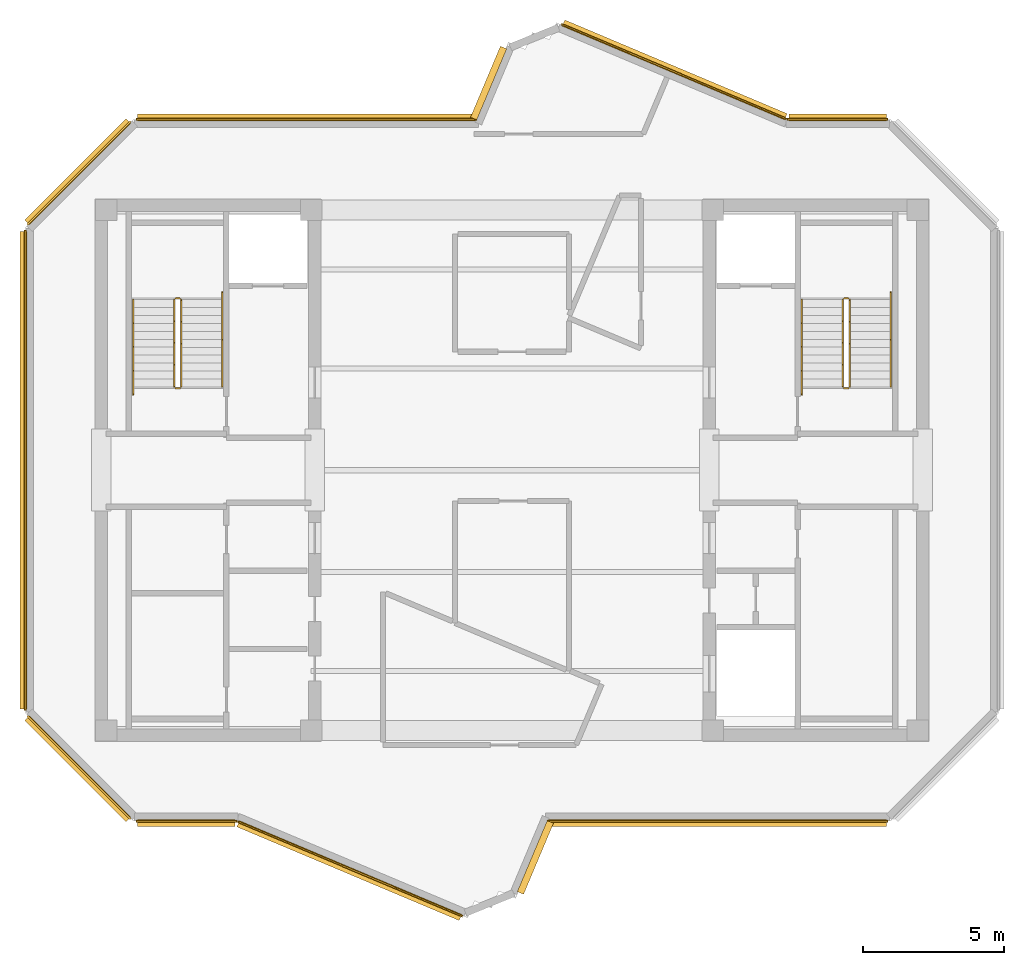
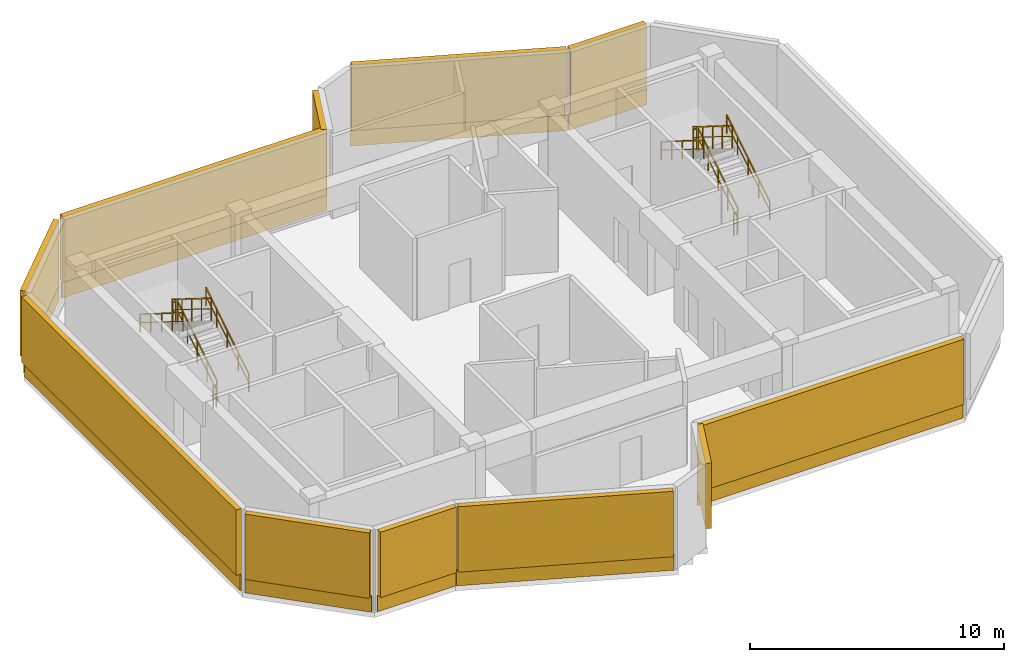
# One storey, part 4 of 5: 12 railings, 11 shading devices, 9 coverings.
"""IFC4 building model written with IfcOpenShell, lengths in metres."""

import ifcopenshell
import ifcopenshell.guid

model = None  # the IFC model being written
_history = None  # IfcOwnerHistory: only IFC2X3 demands one
_inside = {}  # id of a spatial element -> (the spatial element, [elements in it])
_under = {}  # id of a project, library or spatial element -> (it, [spatial elements below it])
_declared = {}  # id of a project -> (the project, [libraries it declares])
_typed = {}  # id of a type object -> (the type object, [elements of that type])
_made_of = {}  # id of a material, layer set ... -> (it, [elements and type objects made of it])


def new_model(schema):
    """Start an empty IFC model of exactly this schema.

    Asked for "IFC4X3", IfcOpenShell would pick the latest addendum, in which some entities
    have other attributes; the version numbers below select the first issue.
    IFC2X3 requires an IfcOwnerHistory on every rooted entity: one is made here for all.
    """
    global model, _history
    if schema == "IFC4X3":
        model = ifcopenshell.file(schema_version=(4, 3, 0, 0))
    else:
        model = ifcopenshell.file(schema=schema)
    _inside.clear()
    _under.clear()
    _declared.clear()
    _typed.clear()
    _made_of.clear()
    _history = None
    if model.schema == "IFC2X3":
        org = make("IfcOrganization", Name="unknown")
        user = make(
            "IfcPersonAndOrganization",
            ThePerson=make("IfcPerson", FamilyName="unknown"),
            TheOrganization=org,
        )
        app = make(
            "IfcApplication",
            ApplicationDeveloper=org,
            Version="unknown",
            ApplicationFullName="unknown",
            ApplicationIdentifier="unknown",
        )
        _history = make(
            "IfcOwnerHistory",
            OwningUser=user,
            OwningApplication=app,
            ChangeAction="ADDED",
            CreationDate=0,
        )
    return model


def make(cls, **values):
    """One entity of the class cls with the attributes given. An attribute that is None is left unset."""
    return model.create_entity(
        cls, **{name: value for name, value in values.items() if value is not None}
    )


def rooted(cls, **values):
    """An entity with a GlobalId (a new one), such as an element, a storey or a relation."""
    return make(cls, GlobalId=ifcopenshell.guid.new(), OwnerHistory=_history, **values)


def si_unit(unit_type, name, prefix=None):
    """IfcSIUnit, for example si_unit("LENGTHUNIT", "METRE", prefix="MILLI")."""
    return make("IfcSIUnit", UnitType=unit_type, Prefix=prefix, Name=name)


def assignment(units):
    """IfcUnitAssignment: the units of a project."""
    return None if units is None else make("IfcUnitAssignment", Units=units)


def point(xyz):
    """IfcCartesianPoint."""
    return None if xyz is None else make("IfcCartesianPoint", Coordinates=xyz)


def direction(xyz):
    """IfcDirection."""
    return None if xyz is None else make("IfcDirection", DirectionRatios=xyz)


def frame(location, z_axis=None, x_axis=None):
    """IfcAxis2Placement3D, a coordinate frame: its origin and axes. An axis left out is left unset."""
    return make(
        "IfcAxis2Placement3D",
        Location=point(location),
        Axis=direction(z_axis),
        RefDirection=direction(x_axis),
    )


def frame_2d(location, x_axis=None):
    """IfcAxis2Placement2D, a coordinate frame in the plane: its origin and x axis."""
    return make(
        "IfcAxis2Placement2D", Location=point(location), RefDirection=direction(x_axis)
    )


def origin():
    """The frame at (0, 0, 0) with its axes left unset."""
    return frame((0.0, 0.0, 0.0))


def origin_2d():
    """The frame at (0, 0) in the plane with its x axis left unset."""
    return frame_2d((0.0, 0.0))


def place(relative_to, where):
    """IfcLocalPlacement: puts the frame where relative to a parent placement (None: the world)."""
    return make(
        "IfcLocalPlacement", PlacementRelTo=relative_to, RelativePlacement=where
    )


def context(
    kind, dimensions, precision=None, world=None, true_north=None, identifier=None
):
    """IfcGeometricRepresentationContext, for example the 3D "Model" context."""
    return make(
        "IfcGeometricRepresentationContext",
        ContextIdentifier=identifier,
        ContextType=kind,
        CoordinateSpaceDimension=dimensions,
        Precision=precision,
        WorldCoordinateSystem=world,
        TrueNorth=true_north,
    )


def subcontext(parent, identifier, kind, view, scale=None):
    """IfcGeometricRepresentationSubContext, for example "Body" below "Model"."""
    return make(
        "IfcGeometricRepresentationSubContext",
        ContextIdentifier=identifier,
        ContextType=kind,
        ParentContext=parent,
        TargetScale=scale,
        TargetView=view,
    )


def project(units=None, contexts=None):
    """IfcProject with its units and contexts."""
    return rooted(
        "IfcProject",
        Name="project",
        RepresentationContexts=contexts,
        UnitsInContext=assignment(units),
    )


def spatial(cls, under=None, at=None, **own):
    """A site, building, storey or space (cls), placed at a placement, below another one or the project."""
    s = rooted(cls, ObjectPlacement=at, **own)
    if under is not None:
        _under.setdefault(under.id(), (under, []))[1].append(s)
    return s


def profile(cls, at=None, kind="AREA", **sizes):
    """A parametric profile (cls). Its sizes go by their IFC names, for example OverallWidth=200.0."""
    return make(cls, ProfileType=kind, Position=at, **sizes)


def rectangle(**sizes):
    """IfcRectangleProfileDef."""
    return profile("IfcRectangleProfileDef", **sizes)


def extrude(swept, where, along, depth):
    """IfcExtrudedAreaSolid: the profile swept, set in the frame where, extruded along a direction by depth."""
    return make(
        "IfcExtrudedAreaSolid",
        SweptArea=swept,
        Position=where,
        ExtrudedDirection=direction(along),
        Depth=depth,
    )


def shape(context_of_items, identifier, shape_type, items):
    """IfcShapeRepresentation: the items that make up one representation, for example the "Body"."""
    return make(
        "IfcShapeRepresentation",
        ContextOfItems=context_of_items,
        RepresentationIdentifier=identifier,
        RepresentationType=shape_type,
        Items=items,
    )


def source(mapping_origin, context_of_items, identifier, shape_type, items):
    """IfcRepresentationMap: a shape defined once, which mapped items show again and again."""
    return make(
        "IfcRepresentationMap",
        MappingOrigin=mapping_origin,
        MappedRepresentation=shape(context_of_items, identifier, shape_type, items),
    )


def transform(
    local_origin,
    x_axis=None,
    y_axis=None,
    z_axis=None,
    scale=None,
    scale2=None,
    scale3=None,
    uniform=True,
):
    """IfcCartesianTransformationOperator3D, or its non-uniform kind. x_axis, y_axis, z_axis: its Axis1, 2, 3."""
    if uniform:
        return make(
            "IfcCartesianTransformationOperator3D",
            Axis1=direction(x_axis),
            Axis2=direction(y_axis),
            LocalOrigin=point(local_origin),
            Scale=scale,
            Axis3=direction(z_axis),
        )
    return make(
        "IfcCartesianTransformationOperator3DnonUniform",
        Axis1=direction(x_axis),
        Axis2=direction(y_axis),
        LocalOrigin=point(local_origin),
        Scale=scale,
        Axis3=direction(z_axis),
        Scale2=scale2,
        Scale3=scale3,
    )


def mapped(mapping_source, mapping_target):
    """IfcMappedItem: shows the shape of a source again, moved by a transform."""
    return make(
        "IfcMappedItem", MappingSource=mapping_source, MappingTarget=mapping_target
    )


def material(Name=None, Category=None):
    """IfcMaterial."""
    return make("IfcMaterial", Name=Name, Category=Category)


def layer(
    of_material, thickness, ventilated=None, Name=None, Category=None, Priority=None
):
    """IfcMaterialLayer: one layer of a wall or slab, of a material (None: an air gap)."""
    return make(
        "IfcMaterialLayer",
        Material=of_material,
        LayerThickness=thickness,
        IsVentilated=ventilated,
        Name=Name,
        Category=Category,
        Priority=Priority,
    )


def layer_set(layers, Name=None):
    """IfcMaterialLayerSet."""
    return make("IfcMaterialLayerSet", MaterialLayers=layers, LayerSetName=Name)


def made_of(thing, what):
    """Note that an element or type object is made of a material, layer set ...; save() writes the relation."""
    if what is not None:
        _made_of.setdefault(what.id(), (what, []))[1].append(thing)
    return thing


def type_object(cls, material=None, **own):
    """A type object (cls), such as IfcWallType, which elements share."""
    return made_of(rooted(cls, **own), material)


def element(
    cls,
    number,
    at=None,
    inside=None,
    cuts=None,
    type_object=None,
    material=None,
    context=None,
    identifier="Body",
    shape_type=None,
    held_by="IfcProductDefinitionShape",
    body=None,
    shapes=None,
    **own,
):
    """One element of the class cls, such as IfcWall. Its Tag is "e" and its number.

    at: its placement. inside: the storey or other place that contains it. cuts: it is an
    opening in that element (IfcRelVoidsElement). A single representation is given by context,
    identifier, shape_type and body (its items); several are given by shapes. held_by: the class
    of the entity that holds the representations. save() writes the other relations.
    """
    e = rooted(cls, Tag="e%d" % number, ObjectPlacement=at, **own)
    if body is not None:
        shapes = [shape(context, identifier, shape_type, body)]
    if shapes is not None:
        e.Representation = make(held_by, Representations=shapes)
    if inside is not None:
        _inside.setdefault(inside.id(), (inside, []))[1].append(e)
    if cuts is not None:
        rooted(
            "IfcRelVoidsElement", RelatingBuildingElement=cuts, RelatedOpeningElement=e
        )
    if type_object is not None:
        _typed.setdefault(type_object.id(), (type_object, []))[1].append(e)
    return made_of(e, material)


def aggregate(whole, parts):
    """IfcRelAggregates: a whole, such as a stair, and the parts it consists of."""
    return rooted("IfcRelAggregates", RelatingObject=whole, RelatedObjects=parts)


def save(model, path):
    """Write the relations noted so far, then the file.

    IfcRelAggregates (storeys below a building ...), IfcRelContainedInSpatialStructure (elements
    in a storey), IfcRelDefinesByType, IfcRelAssociatesMaterial and IfcRelDeclares: one each for
    every whole, place, type object, material and project.
    """
    for whole, parts in _under.values():
        aggregate(whole, parts)
    for where, things in _inside.values():
        rooted(
            "IfcRelContainedInSpatialStructure",
            RelatedElements=things,
            RelatingStructure=where,
        )
    for kind, things in _typed.values():
        rooted("IfcRelDefinesByType", RelatedObjects=things, RelatingType=kind)
    for what, things in _made_of.values():
        rooted("IfcRelAssociatesMaterial", RelatedObjects=things, RelatingMaterial=what)
    for by, libraries in _declared.values():
        rooted("IfcRelDeclares", RelatingContext=by, RelatedDefinitions=libraries)
    model.write(path)


model = new_model("IFC4")

# Units and contexts
model_context = context("Model", 3, precision=1e-05, world=origin(), true_north=direction((0.0, 1.0)))
body_context = subcontext(model_context, "Body", "Model", "MODEL_VIEW")
ifc_project = project(units=[si_unit("LENGTHUNIT", "METRE"), si_unit("AREAUNIT", "SQUARE_METRE"), si_unit("VOLUMEUNIT", "CUBIC_METRE"), si_unit("PLANEANGLEUNIT", "RADIAN"), si_unit("MASSUNIT", "GRAM", prefix="KILO")], contexts=[model_context])

# Site, building, storey
site_placement = place(None, origin())
site = spatial("IfcSite", under=ifc_project, at=site_placement, CompositionType="ELEMENT")
building_placement = place(site_placement, origin())
building = spatial("IfcBuilding", under=site, at=building_placement, Name="Zahravan Cultural Tower", CompositionType="ELEMENT")
storey_placement = place(building_placement, frame((0.0, 0.0, 383.85009765625)))
storey = spatial("IfcBuildingStorey", under=building, at=storey_placement, Name="L93", CompositionType="ELEMENT", Elevation=383.85009765625)

# Railings
ifc_material_1 = material(Name="Steel ASTM A572 Grade 50", Category="steel")
railing_type_1 = type_object("IfcRailingType", Name="RL-STAIR-GRD1150", PredefinedType="BALUSTRADE", material=ifc_material_1)
railing_1_placement = place(storey_placement, frame((24.300048828125, 29.949951171875, 0.1748046875)))
element("IfcRailing", 1, at=railing_1_placement, inside=storey, type_object=railing_type_1, Name="L93 ST-W1 stair guard 1", PredefinedType="BALUSTRADE", context=body_context, shape_type="SweptSolid", body=[
    extrude(rectangle(XDim=0.05, YDim=0.05, at=origin_2d()), frame((0.0, 0.0, 1.0751953125), z_axis=(0.0, 0.847998304005, 0.529998940003), x_axis=(-1.0, 0.0, 0.0)), (0.0, 0.0, 1.0), 3.632080078125),
    extrude(rectangle(XDim=0.032, YDim=0.032, at=origin_2d()), frame((0.0, 0.0, 0.572021484375), z_axis=(0.0, 0.847998304005, 0.529998940003), x_axis=(-1.0, 0.0, 0.0)), (0.0, 0.0, 1.0), 3.632080078125),
    extrude(rectangle(XDim=0.04, YDim=0.04, at=origin_2d()), origin(), (0.0, 0.0, 1.0), 1.10009765625),
    extrude(rectangle(XDim=0.04, YDim=0.04, at=origin_2d()), frame((0.0, 0.77001953125, 0.481201171875)), (0.0, 0.0, 1.0), 1.10009765625),
    extrude(rectangle(XDim=0.04, YDim=0.04, at=origin_2d()), frame((0.0, 1.5400390625, 0.96240234375)), (0.0, 0.0, 1.0), 1.10009765625),
    extrude(rectangle(XDim=0.04, YDim=0.04, at=origin_2d()), frame((0.0, 2.31005859375, 1.44384765625)), (0.0, 0.0, 1.0), 1.10009765625),
    extrude(rectangle(XDim=0.04, YDim=0.04, at=origin_2d()), frame((0.0, 3.080078125, 1.925048828125)), (0.0, 0.0, 1.0), 1.10009765625),
])
railing_2_placement = place(storey_placement, frame((24.25, 33.080078125, 2.099853515625)))
element("IfcRailing", 2, at=railing_2_placement, inside=storey, type_object=railing_type_1, Name="L93 ST-W1 stair guard 2", PredefinedType="BALUSTRADE", context=body_context, shape_type="SweptSolid", body=[
    extrude(rectangle(XDim=0.05, YDim=0.05, at=origin_2d()), frame((0.0, 0.0, 1.0751953125), z_axis=(-1.0, 0.0, 0.0), x_axis=(0.0, -1.0, 0.0)), (0.0, 0.0, 1.0), 0.14990234375),
    extrude(rectangle(XDim=0.032, YDim=0.032, at=origin_2d()), frame((0.0, 0.0, 0.572021484375), z_axis=(-1.0, 0.0, 0.0), x_axis=(0.0, -1.0, 0.0)), (0.0, 0.0, 1.0), 0.14990234375),
    extrude(rectangle(XDim=0.04, YDim=0.04, at=origin_2d()), origin(), (0.0, 0.0, 1.0), 1.10009765625),
    extrude(rectangle(XDim=0.04, YDim=0.04, at=origin_2d()), frame((-0.14990234375, 0.0, 0.0)), (0.0, 0.0, 1.0), 1.10009765625),
])
railing_3_placement = place(storey_placement, frame((24.050048828125, 33.030029296875, 2.27490234375)))
element("IfcRailing", 3, at=railing_3_placement, inside=storey, type_object=railing_type_1, Name="L93 ST-W1 stair guard 3", PredefinedType="BALUSTRADE", context=body_context, shape_type="SweptSolid", body=[
    extrude(rectangle(XDim=0.05, YDim=0.05, at=origin_2d()), frame((0.0, 0.0, 1.0751953125), z_axis=(0.0, -0.847998304005, 0.529998940003), x_axis=(1.0, 0.0, 0.0)), (0.0, 0.0, 1.0), 3.632080078125),
    extrude(rectangle(XDim=0.032, YDim=0.032, at=origin_2d()), frame((0.0, 0.0, 0.572021484375), z_axis=(0.0, -0.847998304005, 0.529998940003), x_axis=(1.0, 0.0, 0.0)), (0.0, 0.0, 1.0), 3.632080078125),
    extrude(rectangle(XDim=0.04, YDim=0.04, at=origin_2d()), origin(), (0.0, 0.0, 1.0), 1.10009765625),
    extrude(rectangle(XDim=0.04, YDim=0.04, at=origin_2d()), frame((0.0, -0.77001953125, 0.481201171875)), (0.0, 0.0, 1.0), 1.10009765625),
    extrude(rectangle(XDim=0.04, YDim=0.04, at=origin_2d()), frame((0.0, -1.5400390625, 0.96240234375)), (0.0, 0.0, 1.0), 1.10009765625),
    extrude(rectangle(XDim=0.04, YDim=0.04, at=origin_2d()), frame((0.0, -2.31005859375, 1.44384765625)), (0.0, 0.0, 1.0), 1.10009765625),
    extrude(rectangle(XDim=0.04, YDim=0.04, at=origin_2d()), frame((0.0, -3.080078125, 1.925048828125)), (0.0, 0.0, 1.0), 1.10009765625),
])
railing_4_placement = place(storey_placement, frame((24.25, 29.89990234375, 0.0)))
element("IfcRailing", 4, at=railing_4_placement, inside=storey, type_object=railing_type_1, Name="L93 ST-W1 stair guard 4", PredefinedType="BALUSTRADE", context=body_context, shape_type="SweptSolid", body=[
    extrude(rectangle(XDim=0.05, YDim=0.05, at=origin_2d()), frame((0.0, 0.0, 1.0751953125), z_axis=(-1.0, 0.0, 0.0), x_axis=(0.0, -1.0, 0.0)), (0.0, 0.0, 1.0), 0.14990234375),
    extrude(rectangle(XDim=0.032, YDim=0.032, at=origin_2d()), frame((0.0, 0.0, 0.572021484375), z_axis=(-1.0, 0.0, 0.0), x_axis=(0.0, -1.0, 0.0)), (0.0, 0.0, 1.0), 0.14990234375),
    extrude(rectangle(XDim=0.04, YDim=0.04, at=origin_2d()), origin(), (0.0, 0.0, 1.0), 1.10009765625),
    extrude(rectangle(XDim=0.04, YDim=0.04, at=origin_2d()), frame((-0.14990234375, 0.0, 0.0)), (0.0, 0.0, 1.0), 1.10009765625),
])
railing_5_placement = place(storey_placement, frame((47.949951171875, 29.949951171875, 0.1748046875)))
element("IfcRailing", 5, at=railing_5_placement, inside=storey, type_object=railing_type_1, Name="L93 ST-E1 stair guard 1", PredefinedType="BALUSTRADE", context=body_context, shape_type="SweptSolid", body=[
    extrude(rectangle(XDim=0.05, YDim=0.05, at=origin_2d()), frame((0.0, 0.0, 1.0751953125), z_axis=(0.0, 0.847998304005, 0.529998940003), x_axis=(-1.0, 0.0, 0.0)), (0.0, 0.0, 1.0), 3.632080078125),
    extrude(rectangle(XDim=0.032, YDim=0.032, at=origin_2d()), frame((0.0, 0.0, 0.572021484375), z_axis=(0.0, 0.847998304005, 0.529998940003), x_axis=(-1.0, 0.0, 0.0)), (0.0, 0.0, 1.0), 3.632080078125),
    extrude(rectangle(XDim=0.04, YDim=0.04, at=origin_2d()), origin(), (0.0, 0.0, 1.0), 1.10009765625),
    extrude(rectangle(XDim=0.04, YDim=0.04, at=origin_2d()), frame((0.0, 0.77001953125, 0.481201171875)), (0.0, 0.0, 1.0), 1.10009765625),
    extrude(rectangle(XDim=0.04, YDim=0.04, at=origin_2d()), frame((0.0, 1.5400390625, 0.96240234375)), (0.0, 0.0, 1.0), 1.10009765625),
    extrude(rectangle(XDim=0.04, YDim=0.04, at=origin_2d()), frame((0.0, 2.31005859375, 1.44384765625)), (0.0, 0.0, 1.0), 1.10009765625),
    extrude(rectangle(XDim=0.04, YDim=0.04, at=origin_2d()), frame((0.0, 3.080078125, 1.925048828125)), (0.0, 0.0, 1.0), 1.10009765625),
])
railing_6_placement = place(storey_placement, frame((47.89990234375, 33.080078125, 2.099853515625)))
element("IfcRailing", 6, at=railing_6_placement, inside=storey, type_object=railing_type_1, Name="L93 ST-E1 stair guard 2", PredefinedType="BALUSTRADE", context=body_context, shape_type="SweptSolid", body=[
    extrude(rectangle(XDim=0.05, YDim=0.05, at=origin_2d()), frame((0.0, 0.0, 1.0751953125), z_axis=(-1.0, 0.0, 0.0), x_axis=(0.0, -1.0, 0.0)), (0.0, 0.0, 1.0), 0.14990234375),
    extrude(rectangle(XDim=0.032, YDim=0.032, at=origin_2d()), frame((0.0, 0.0, 0.572021484375), z_axis=(-1.0, 0.0, 0.0), x_axis=(0.0, -1.0, 0.0)), (0.0, 0.0, 1.0), 0.14990234375),
    extrude(rectangle(XDim=0.04, YDim=0.04, at=origin_2d()), origin(), (0.0, 0.0, 1.0), 1.10009765625),
    extrude(rectangle(XDim=0.04, YDim=0.04, at=origin_2d()), frame((-0.14990234375, 0.0, 0.0)), (0.0, 0.0, 1.0), 1.10009765625),
])
railing_7_placement = place(storey_placement, frame((47.699951171875, 33.030029296875, 2.27490234375)))
element("IfcRailing", 7, at=railing_7_placement, inside=storey, type_object=railing_type_1, Name="L93 ST-E1 stair guard 3", PredefinedType="BALUSTRADE", context=body_context, shape_type="SweptSolid", body=[
    extrude(rectangle(XDim=0.05, YDim=0.05, at=origin_2d()), frame((0.0, 0.0, 1.0751953125), z_axis=(0.0, -0.847998304005, 0.529998940003), x_axis=(1.0, 0.0, 0.0)), (0.0, 0.0, 1.0), 3.632080078125),
    extrude(rectangle(XDim=0.032, YDim=0.032, at=origin_2d()), frame((0.0, 0.0, 0.572021484375), z_axis=(0.0, -0.847998304005, 0.529998940003), x_axis=(1.0, 0.0, 0.0)), (0.0, 0.0, 1.0), 3.632080078125),
    extrude(rectangle(XDim=0.04, YDim=0.04, at=origin_2d()), origin(), (0.0, 0.0, 1.0), 1.10009765625),
    extrude(rectangle(XDim=0.04, YDim=0.04, at=origin_2d()), frame((0.0, -0.77001953125, 0.481201171875)), (0.0, 0.0, 1.0), 1.10009765625),
    extrude(rectangle(XDim=0.04, YDim=0.04, at=origin_2d()), frame((0.0, -1.5400390625, 0.96240234375)), (0.0, 0.0, 1.0), 1.10009765625),
    extrude(rectangle(XDim=0.04, YDim=0.04, at=origin_2d()), frame((0.0, -2.31005859375, 1.44384765625)), (0.0, 0.0, 1.0), 1.10009765625),
    extrude(rectangle(XDim=0.04, YDim=0.04, at=origin_2d()), frame((0.0, -3.080078125, 1.925048828125)), (0.0, 0.0, 1.0), 1.10009765625),
])
railing_8_placement = place(storey_placement, frame((47.89990234375, 29.89990234375, 0.0)))
element("IfcRailing", 8, at=railing_8_placement, inside=storey, type_object=railing_type_1, Name="L93 ST-E1 stair guard 4", PredefinedType="BALUSTRADE", context=body_context, shape_type="SweptSolid", body=[
    extrude(rectangle(XDim=0.05, YDim=0.05, at=origin_2d()), frame((0.0, 0.0, 1.0751953125), z_axis=(-1.0, 0.0, 0.0), x_axis=(0.0, -1.0, 0.0)), (0.0, 0.0, 1.0), 0.14990234375),
    extrude(rectangle(XDim=0.032, YDim=0.032, at=origin_2d()), frame((0.0, 0.0, 0.572021484375), z_axis=(-1.0, 0.0, 0.0), x_axis=(0.0, -1.0, 0.0)), (0.0, 0.0, 1.0), 0.14990234375),
    extrude(rectangle(XDim=0.04, YDim=0.04, at=origin_2d()), origin(), (0.0, 0.0, 1.0), 1.10009765625),
    extrude(rectangle(XDim=0.04, YDim=0.04, at=origin_2d()), frame((-0.14990234375, 0.0, 0.0)), (0.0, 0.0, 1.0), 1.10009765625),
])
railing_type_2 = type_object("IfcRailingType", Name="RL-STAIR-HR900", PredefinedType="HANDRAIL", material=ifc_material_1)
railing_9_placement = place(storey_placement, frame((25.75, 29.949951171875, 0.1748046875)))
element("IfcRailing", 9, at=railing_9_placement, inside=storey, type_object=railing_type_2, Name="L93 ST-W1 stair handrail 1", PredefinedType="HANDRAIL", context=body_context, shape_type="SweptSolid", body=[
    extrude(rectangle(XDim=0.05, YDim=0.05, at=origin_2d()), frame((0.0, 0.0, 0.875), z_axis=(0.0, 0.847994842521, 0.530004478338), x_axis=(-1.0, 0.0, 0.0)), (0.0, 0.0, 1.0), 3.96240234375),
    extrude(rectangle(XDim=0.032, YDim=0.032, at=origin_2d()), frame((0.0, 0.0, 0.468017578125), z_axis=(0.0, 0.847994842521, 0.530004478338), x_axis=(-1.0, 0.0, 0.0)), (0.0, 0.0, 1.0), 3.96240234375),
    extrude(rectangle(XDim=0.04, YDim=0.04, at=origin_2d()), origin(), (0.0, 0.0, 1.0), 0.89990234375),
    extrude(rectangle(XDim=0.04, YDim=0.04, at=origin_2d()), frame((0.0, 0.840087890625, 0.52490234375)), (0.0, 0.0, 1.0), 0.89990234375),
    extrude(rectangle(XDim=0.04, YDim=0.04, at=origin_2d()), frame((0.0, 1.68017578125, 1.050048828125)), (0.0, 0.0, 1.0), 0.89990234375),
    extrude(rectangle(XDim=0.04, YDim=0.04, at=origin_2d()), frame((0.0, 2.52001953125, 1.5751953125)), (0.0, 0.0, 1.0), 0.89990234375),
    extrude(rectangle(XDim=0.04, YDim=0.04, at=origin_2d()), frame((0.0, 3.360107421875, 2.10009765625)), (0.0, 0.0, 1.0), 0.89990234375),
])
railing_10_placement = place(storey_placement, frame((22.60009765625, 33.030029296875, 2.27490234375)))
element("IfcRailing", 10, at=railing_10_placement, inside=storey, type_object=railing_type_2, Name="L93 ST-W1 stair handrail 2", PredefinedType="HANDRAIL", context=body_context, shape_type="SweptSolid", body=[
    extrude(rectangle(XDim=0.05, YDim=0.05, at=origin_2d()), frame((0.0, 0.0, 0.875), z_axis=(0.0, -0.847994842521, 0.530004478338), x_axis=(1.0, 0.0, 0.0)), (0.0, 0.0, 1.0), 3.96240234375),
    extrude(rectangle(XDim=0.032, YDim=0.032, at=origin_2d()), frame((0.0, 0.0, 0.468017578125), z_axis=(0.0, -0.847994842521, 0.530004478338), x_axis=(1.0, 0.0, 0.0)), (0.0, 0.0, 1.0), 3.96240234375),
    extrude(rectangle(XDim=0.04, YDim=0.04, at=origin_2d()), origin(), (0.0, 0.0, 1.0), 0.89990234375),
    extrude(rectangle(XDim=0.04, YDim=0.04, at=origin_2d()), frame((0.0, -0.840087890625, 0.52490234375)), (0.0, 0.0, 1.0), 0.89990234375),
    extrude(rectangle(XDim=0.04, YDim=0.04, at=origin_2d()), frame((0.0, -1.68017578125, 1.050048828125)), (0.0, 0.0, 1.0), 0.89990234375),
    extrude(rectangle(XDim=0.04, YDim=0.04, at=origin_2d()), frame((0.0, -2.52001953125, 1.5751953125)), (0.0, 0.0, 1.0), 0.89990234375),
    extrude(rectangle(XDim=0.04, YDim=0.04, at=origin_2d()), frame((0.0, -3.360107421875, 2.10009765625)), (0.0, 0.0, 1.0), 0.89990234375),
])
railing_11_placement = place(storey_placement, frame((49.39990234375, 29.949951171875, 0.1748046875)))
element("IfcRailing", 11, at=railing_11_placement, inside=storey, type_object=railing_type_2, Name="L93 ST-E1 stair handrail 1", PredefinedType="HANDRAIL", context=body_context, shape_type="SweptSolid", body=[
    extrude(rectangle(XDim=0.05, YDim=0.05, at=origin_2d()), frame((0.0, 0.0, 0.875), z_axis=(0.0, 0.847994842521, 0.530004478338), x_axis=(-1.0, 0.0, 0.0)), (0.0, 0.0, 1.0), 3.96240234375),
    extrude(rectangle(XDim=0.032, YDim=0.032, at=origin_2d()), frame((0.0, 0.0, 0.468017578125), z_axis=(0.0, 0.847994842521, 0.530004478338), x_axis=(-1.0, 0.0, 0.0)), (0.0, 0.0, 1.0), 3.96240234375),
    extrude(rectangle(XDim=0.04, YDim=0.04, at=origin_2d()), origin(), (0.0, 0.0, 1.0), 0.89990234375),
    extrude(rectangle(XDim=0.04, YDim=0.04, at=origin_2d()), frame((0.0, 0.840087890625, 0.52490234375)), (0.0, 0.0, 1.0), 0.89990234375),
    extrude(rectangle(XDim=0.04, YDim=0.04, at=origin_2d()), frame((0.0, 1.68017578125, 1.050048828125)), (0.0, 0.0, 1.0), 0.89990234375),
    extrude(rectangle(XDim=0.04, YDim=0.04, at=origin_2d()), frame((0.0, 2.52001953125, 1.5751953125)), (0.0, 0.0, 1.0), 0.89990234375),
    extrude(rectangle(XDim=0.04, YDim=0.04, at=origin_2d()), frame((0.0, 3.360107421875, 2.10009765625)), (0.0, 0.0, 1.0), 0.89990234375),
])
railing_12_placement = place(storey_placement, frame((46.25, 33.030029296875, 2.27490234375)))
element("IfcRailing", 12, at=railing_12_placement, inside=storey, type_object=railing_type_2, Name="L93 ST-E1 stair handrail 2", PredefinedType="HANDRAIL", context=body_context, shape_type="SweptSolid", body=[
    extrude(rectangle(XDim=0.05, YDim=0.05, at=origin_2d()), frame((0.0, 0.0, 0.875), z_axis=(0.0, -0.847994842521, 0.530004478338), x_axis=(1.0, 0.0, 0.0)), (0.0, 0.0, 1.0), 3.96240234375),
    extrude(rectangle(XDim=0.032, YDim=0.032, at=origin_2d()), frame((0.0, 0.0, 0.468017578125), z_axis=(0.0, -0.847994842521, 0.530004478338), x_axis=(1.0, 0.0, 0.0)), (0.0, 0.0, 1.0), 3.96240234375),
    extrude(rectangle(XDim=0.04, YDim=0.04, at=origin_2d()), origin(), (0.0, 0.0, 1.0), 0.89990234375),
    extrude(rectangle(XDim=0.04, YDim=0.04, at=origin_2d()), frame((0.0, -0.840087890625, 0.52490234375)), (0.0, 0.0, 1.0), 0.89990234375),
    extrude(rectangle(XDim=0.04, YDim=0.04, at=origin_2d()), frame((0.0, -1.68017578125, 1.050048828125)), (0.0, 0.0, 1.0), 0.89990234375),
    extrude(rectangle(XDim=0.04, YDim=0.04, at=origin_2d()), frame((0.0, -2.52001953125, 1.5751953125)), (0.0, 0.0, 1.0), 0.89990234375),
    extrude(rectangle(XDim=0.04, YDim=0.04, at=origin_2d()), frame((0.0, -3.360107421875, 2.10009765625)), (0.0, 0.0, 1.0), 0.89990234375),
])

# Coverings
ifc_material_2 = material(Name="Terracotta ceramic cladding", Category="masonry")
ifc_layer = layer(ifc_material_2, 0.06005859375)
ifc_layer_set = layer_set([ifc_layer], Name="Terracotta ceramic cladding")
covering_type = type_object("IfcCoveringType", Name="COV-CLAD-TC60", PredefinedType="CLADDING", material=ifc_layer_set)
shared_shape_1 = source(origin(), body_context, "Body", "SweptSolid", [
    extrude(rectangle(XDim=5.157958984375, YDim=0.06005859375, at=origin_2d()), origin(), (0.0, 0.0, 1.0), 0.760009765625),
])
for number, where, z_axis, x_axis, name in (
    (13, (20.689453125, 16.489501953125, 0.02001953125), (0.0, 0.0, 1.0), (-0.707106781187, 0.707106781187, 0.0), "L93 Terracotta Spandrel Cladding 13"),
    (14, (20.689453125, 37.510498046875, 0.02001953125), (0.0, 0.0, 1.0), (0.707106781187, 0.707106781187, 0.0), "L93 Terracotta Spandrel Cladding 15"),
):
    element("IfcCovering", number, at=place(storey_placement, frame(where, z_axis=z_axis, x_axis=x_axis)), inside=storey, type_object=covering_type, Name=name, PredefinedType="CLADDING", context=body_context, shape_type="MappedRepresentation", body=[
        mapped(shared_shape_1, transform((0.0, 0.0, 0.0), x_axis=(1.0, 0.0, 0.0), y_axis=(0.0, 1.0, 0.0), z_axis=(0.0, 0.0, 1.0), scale=1.0)),
    ])
shared_shape_2 = source(origin(), body_context, "Body", "SweptSolid", [
    extrude(rectangle(XDim=8.627197265625, YDim=0.06005859375, at=origin_2d()), origin(), (0.0, 0.0, 1.0), 0.760009765625),
])
for number, where, z_axis, x_axis, name in (
    (15, (41.727294921875, 41.097412109375, 0.02001953125), (0.0, 0.0, 1.0), (0.921524629468, -0.388319916157, 0.0), "L93 Terracotta Spandrel Cladding 03"),
    (16, (30.272705078125, 12.902587890625, 0.02001953125), (0.0, 0.0, 1.0), (-0.921524629468, 0.388319916157, 0.0), "L93 Terracotta Spandrel Cladding 11"),
):
    element("IfcCovering", number, at=place(storey_placement, frame(where, z_axis=z_axis, x_axis=x_axis)), inside=storey, type_object=covering_type, Name=name, PredefinedType="CLADDING", context=body_context, shape_type="MappedRepresentation", body=[
        mapped(shared_shape_2, transform((0.0, 0.0, 0.0), x_axis=(1.0, 0.0, 0.0), y_axis=(0.0, 1.0, 0.0), z_axis=(0.0, 0.0, 1.0), scale=1.0)),
    ])
shared_shape_3 = source(origin(), body_context, "Body", "SweptSolid", [
    extrude(rectangle(XDim=3.5537109375, YDim=0.06005859375, at=origin_2d()), origin(), (0.0, 0.0, 1.0), 0.760009765625),
])
for number, where, z_axis, x_axis, name in (
    (17, (47.51513671875, 39.4150390625, 0.02001953125), (0.0, 0.0, 1.0), (1.0, 0.0, 0.0), "L93 Terracotta Spandrel Cladding 04"),
    (18, (24.48486328125, 14.5849609375, 0.02001953125), (0.0, 0.0, 1.0), (-1.0, 0.0, 0.0), "L93 Terracotta Spandrel Cladding 12"),
):
    element("IfcCovering", number, at=place(storey_placement, frame(where, z_axis=z_axis, x_axis=x_axis)), inside=storey, type_object=covering_type, Name=name, PredefinedType="CLADDING", context=body_context, shape_type="MappedRepresentation", body=[
        mapped(shared_shape_3, transform((0.0, 0.0, 0.0), x_axis=(1.0, 0.0, 0.0), y_axis=(0.0, 1.0, 0.0), z_axis=(0.0, 0.0, 1.0), scale=1.0)),
    ])
shared_shape_4 = source(origin(), body_context, "Body", "SweptSolid", [
    extrude(rectangle(XDim=16.98388671875, YDim=0.06005859375, at=origin_2d()), origin(), (0.0, 0.0, 1.0), 0.760009765625),
])
covering_placement = place(storey_placement, frame((18.784912109375, 27.0, 0.02001953125), z_axis=(0.0, 0.0, 1.0), x_axis=(0.0, 1.0, 0.0)))
element("IfcCovering", 19, at=covering_placement, inside=storey, type_object=covering_type, Name="L93 Terracotta Spandrel Cladding 14", PredefinedType="CLADDING", context=body_context, shape_type="MappedRepresentation", body=[
    mapped(shared_shape_4, transform((0.0, 0.0, 0.0), x_axis=(1.0, 0.0, 0.0), y_axis=(0.0, 1.0, 0.0), z_axis=(0.0, 0.0, 1.0), scale=1.0)),
])
shared_shape_5 = source(origin(), body_context, "Body", "SweptSolid", [
    extrude(rectangle(XDim=12.04931640625, YDim=0.06005859375, at=origin_2d()), origin(), (0.0, 0.0, 1.0), 0.760009765625),
])
for number, where, z_axis, x_axis, name in (
    (20, (43.267333984375, 14.5849609375, 0.02001953125), (0.0, 0.0, 1.0), (-1.0, 0.0, 0.0), "L93 Terracotta Spandrel Cladding 08"),
    (21, (28.732666015625, 39.4150390625, 0.02001953125), (0.0, 0.0, 1.0), (1.0, 0.0, 0.0), "L93 Terracotta Spandrel Cladding 16"),
):
    element("IfcCovering", number, at=place(storey_placement, frame(where, z_axis=z_axis, x_axis=x_axis)), inside=storey, type_object=covering_type, Name=name, PredefinedType="CLADDING", context=body_context, shape_type="MappedRepresentation", body=[
        mapped(shared_shape_5, transform((0.0, 0.0, 0.0), x_axis=(1.0, 0.0, 0.0), y_axis=(0.0, 1.0, 0.0), z_axis=(0.0, 0.0, 1.0), scale=1.0)),
    ])

# Shading devices
ifc_material_3 = material(Name="Architectural terracotta fin", Category="masonry")
shading_device_type = type_object("IfcShadingDeviceType", Name="SHD-LOUVRE-BAND", PredefinedType="JALOUSIE", material=ifc_material_3)
shared_shape_6 = source(origin(), body_context, "Body", "SweptSolid", [
    extrude(rectangle(XDim=2.725341796875, YDim=0.239990234375, at=origin_2d()), origin(), (0.0, 0.0, 1.0), 3.139892578125),
])
for number, where, z_axis, x_axis, name in (
    (22, (35.172607421875, 40.693359375, 0.77978515625), (0.0, 0.0, 1.0), (0.388335999737, 0.921517851866, 0.0), "L93 Terracotta Acoustic Louvre 01"),
    (23, (36.827392578125, 13.306640625, 0.77978515625), (0.0, 0.0, 1.0), (-0.388335999737, -0.921517851866, 0.0), "L93 Terracotta Acoustic Louvre 08"),
):
    element("IfcShadingDevice", number, at=place(storey_placement, frame(where, z_axis=z_axis, x_axis=x_axis)), inside=storey, type_object=shading_device_type, Name=name, PredefinedType="JALOUSIE", context=body_context, shape_type="MappedRepresentation", body=[
        mapped(shared_shape_6, transform((0.0, 0.0, 0.0), x_axis=(1.0, 0.0, 0.0), y_axis=(0.0, 1.0, 0.0), z_axis=(0.0, 0.0, 1.0), scale=1.0)),
    ])
shared_shape_7 = source(origin(), body_context, "Body", "SweptSolid", [
    extrude(rectangle(XDim=8.527099609375, YDim=0.239990234375, at=origin_2d()), origin(), (0.0, 0.0, 1.0), 3.139892578125),
])
for number, where, z_axis, x_axis, name in (
    (24, (41.75244140625, 41.1572265625, 0.77978515625), (0.0, 0.0, 1.0), (0.921524629468, -0.388319916157, 0.0), "L93 Terracotta Acoustic Louvre 02"),
    (25, (30.24755859375, 12.8427734375, 0.77978515625), (0.0, 0.0, 1.0), (-0.921524629468, 0.388319916157, 0.0), "L93 Terracotta Acoustic Louvre 09"),
):
    element("IfcShadingDevice", number, at=place(storey_placement, frame(where, z_axis=z_axis, x_axis=x_axis)), inside=storey, type_object=shading_device_type, Name=name, PredefinedType="JALOUSIE", context=body_context, shape_type="MappedRepresentation", body=[
        mapped(shared_shape_7, transform((0.0, 0.0, 0.0), x_axis=(1.0, 0.0, 0.0), y_axis=(0.0, 1.0, 0.0), z_axis=(0.0, 0.0, 1.0), scale=1.0)),
    ])
shared_shape_8 = source(origin(), body_context, "Body", "SweptSolid", [
    extrude(rectangle(XDim=3.453857421875, YDim=0.239990234375, at=origin_2d()), origin(), (0.0, 0.0, 1.0), 3.139892578125),
])
for number, where, z_axis, x_axis, name in (
    (26, (47.51513671875, 39.47998046875, 0.77978515625), (0.0, 0.0, 1.0), (1.0, 0.0, 0.0), "L93 Terracotta Acoustic Louvre 03"),
    (27, (24.48486328125, 14.52001953125, 0.77978515625), (0.0, 0.0, 1.0), (-1.0, 0.0, 0.0), "L93 Terracotta Acoustic Louvre 10"),
):
    element("IfcShadingDevice", number, at=place(storey_placement, frame(where, z_axis=z_axis, x_axis=x_axis)), inside=storey, type_object=shading_device_type, Name=name, PredefinedType="JALOUSIE", context=body_context, shape_type="MappedRepresentation", body=[
        mapped(shared_shape_8, transform((0.0, 0.0, 0.0), x_axis=(1.0, 0.0, 0.0), y_axis=(0.0, 1.0, 0.0), z_axis=(0.0, 0.0, 1.0), scale=1.0)),
    ])
shared_shape_9 = source(origin(), body_context, "Body", "SweptSolid", [
    extrude(rectangle(XDim=5.05810546875, YDim=0.239990234375, at=origin_2d()), origin(), (0.0, 0.0, 1.0), 3.139892578125),
])
for number, where, z_axis, x_axis, name in (
    (28, (20.643310546875, 16.443359375, 0.77978515625), (0.0, 0.0, 1.0), (-0.707106781187, 0.707106781187, 0.0), "L93 Terracotta Acoustic Louvre 11"),
    (29, (20.643310546875, 37.556640625, 0.77978515625), (0.0, 0.0, 1.0), (0.707106781187, 0.707106781187, 0.0), "L93 Terracotta Acoustic Louvre 13"),
):
    element("IfcShadingDevice", number, at=place(storey_placement, frame(where, z_axis=z_axis, x_axis=x_axis)), inside=storey, type_object=shading_device_type, Name=name, PredefinedType="JALOUSIE", context=body_context, shape_type="MappedRepresentation", body=[
        mapped(shared_shape_9, transform((0.0, 0.0, 0.0), x_axis=(1.0, 0.0, 0.0), y_axis=(0.0, 1.0, 0.0), z_axis=(0.0, 0.0, 1.0), scale=1.0)),
    ])
shared_shape_10 = source(origin(), body_context, "Body", "SweptSolid", [
    extrude(rectangle(XDim=16.884033203125, YDim=0.239990234375, at=origin_2d()), origin(), (0.0, 0.0, 1.0), 3.139892578125),
])
shading_device_placement = place(storey_placement, frame((18.719970703125, 27.0, 0.77978515625), z_axis=(0.0, 0.0, 1.0), x_axis=(0.0, 1.0, 0.0)))
element("IfcShadingDevice", 30, at=shading_device_placement, inside=storey, type_object=shading_device_type, Name="L93 Terracotta Acoustic Louvre 12", PredefinedType="JALOUSIE", context=body_context, shape_type="MappedRepresentation", body=[
    mapped(shared_shape_10, transform((0.0, 0.0, 0.0), x_axis=(1.0, 0.0, 0.0), y_axis=(0.0, 1.0, 0.0), z_axis=(0.0, 0.0, 1.0), scale=1.0)),
])
shared_shape_11 = source(origin(), body_context, "Body", "SweptSolid", [
    extrude(rectangle(XDim=11.94921875, YDim=0.239990234375, at=origin_2d()), origin(), (0.0, 0.0, 1.0), 3.139892578125),
])
for number, where, z_axis, x_axis, name in (
    (31, (43.267333984375, 14.52001953125, 0.77978515625), (0.0, 0.0, 1.0), (-1.0, 0.0, 0.0), "L93 Terracotta Acoustic Louvre 07"),
    (32, (28.732666015625, 39.47998046875, 0.77978515625), (0.0, 0.0, 1.0), (1.0, 0.0, 0.0), "L93 Terracotta Acoustic Louvre 14"),
):
    element("IfcShadingDevice", number, at=place(storey_placement, frame(where, z_axis=z_axis, x_axis=x_axis)), inside=storey, type_object=shading_device_type, Name=name, PredefinedType="JALOUSIE", context=body_context, shape_type="MappedRepresentation", body=[
        mapped(shared_shape_11, transform((0.0, 0.0, 0.0), x_axis=(1.0, 0.0, 0.0), y_axis=(0.0, 1.0, 0.0), z_axis=(0.0, 0.0, 1.0), scale=1.0)),
    ])

save(model, "model.ifc")
